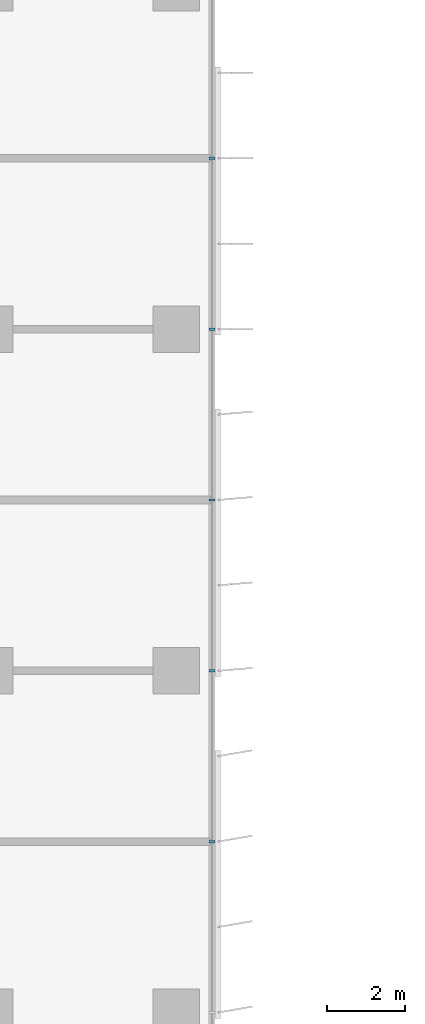
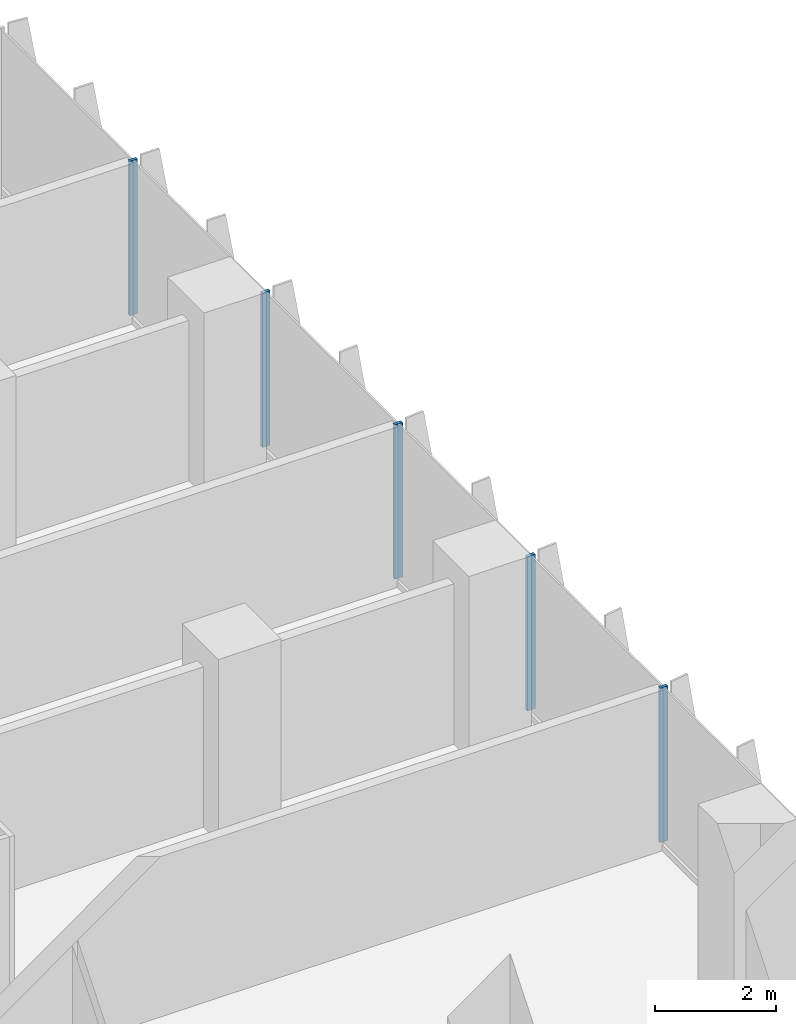
# One storey, part 5 of 22: 5 members, 1 element without a shape of its own.
"""IFC4 building model written with IfcOpenShell, lengths in metres."""

from ifc_helpers import new_model, si_unit, direction, frame, origin, origin_2d, place, context, subcontext, project, spatial, rectangle, extrude, source, transform, mapped, material, material_profile, profile_set, type_object, element, aggregate, save


model = new_model("IFC4")

# Units and contexts
model_context = context("Model", 3, precision=1e-05, world=origin(), true_north=direction((0.0, 1.0)))
body_context = subcontext(model_context, "Body", "Model", "MODEL_VIEW")
ifc_project = project(units=[si_unit("LENGTHUNIT", "METRE"), si_unit("AREAUNIT", "SQUARE_METRE"), si_unit("VOLUMEUNIT", "CUBIC_METRE"), si_unit("PLANEANGLEUNIT", "RADIAN"), si_unit("MASSUNIT", "GRAM", prefix="KILO")], contexts=[model_context])

# Site, building, storey
site_placement = place(None, origin())
site = spatial("IfcSite", under=ifc_project, at=site_placement, CompositionType="ELEMENT")
building_placement = place(site_placement, origin())
building = spatial("IfcBuilding", under=site, at=building_placement, Name="Kemantara Hotel Tower", CompositionType="ELEMENT")
storey_placement = place(building_placement, frame((0.0, 0.0, 129.60009765625)))
storey = spatial("IfcBuildingStorey", under=building, at=storey_placement, Name="L31", CompositionType="ELEMENT", Elevation=129.60009765625)

# Curtain wall, members
ifc_material_1 = material(Name="Low-E tinted double insulated glass 36 mm", Category="glass")
curtain_wall_type = type_object("IfcCurtainWallType", Name="TOWER CURTAIN WALL, FRONT FACES", PredefinedType="USERDEFINED", material=ifc_material_1)
curtain_wall_placement = place(storey_placement, origin())
curtain_wall = element("IfcCurtainWall", 1, at=curtain_wall_placement, inside=storey, type_object=curtain_wall_type, Name="CW4 L31 T2-R14-1", ObjectType="TOWER CURTAIN WALL, FRONT FACES", PredefinedType="USERDEFINED")
ifc_material_2 = material(Name="Aluminium 6063-T6 bronze anodised", Category="aluminium")
ifc_material_profile = material_profile(ifc_material_2, rectangle(XDim=0.14990234375, YDim=0.06005859375, at=origin_2d()), Name="TOWER CURTAIN WALL, FRONT FACES MULLION")
ifc_profile_set = profile_set([ifc_material_profile], Name="Aluminium 6063-T6 bronze anodised")
member_type = type_object("IfcMemberType", Name="TOWER CURTAIN WALL, FRONT FACES MULLION", PredefinedType="MULLION", material=ifc_profile_set)
shared_shape = source(origin(), body_context, "Body", "SweptSolid", [
    extrude(rectangle(XDim=0.14990234375, YDim=0.06005859375, at=origin_2d()), origin(), (0.0, 0.0, 1.0), 3.130126953125),
])
member_1_placement = place(storey_placement, frame((26.72509765625, 31.800048828125, 0.119873046875), z_axis=(0.0, 0.0, 1.0), x_axis=(-1.0, 0.0, 0.0)))
member_1 = element("IfcMember", 2, at=member_1_placement, type_object=member_type, Name="CW4 mullion T2-R14-1.4", PredefinedType="MULLION", context=body_context, shape_type="MappedRepresentation", body=[
    mapped(shared_shape, transform((0.0, 0.0, 0.0))),
])
member_2_placement = place(storey_placement, frame((26.72509765625, 36.199951171875, 0.119873046875), z_axis=(0.0, 0.0, 1.0), x_axis=(-1.0, 0.0, 0.0)))
member_2 = element("IfcMember", 3, at=member_2_placement, type_object=member_type, Name="CW4 mullion T2-R14-1.5", PredefinedType="MULLION", context=body_context, shape_type="MappedRepresentation", body=[
    mapped(shared_shape, transform((0.0, 0.0, 0.0))),
])
member_3_placement = place(storey_placement, frame((26.72509765625, 40.60009765625, 0.119873046875), z_axis=(0.0, 0.0, 1.0), x_axis=(-1.0, 0.0, 0.0)))
member_3 = element("IfcMember", 4, at=member_3_placement, type_object=member_type, Name="CW4 mullion T2-R14-1.6", PredefinedType="MULLION", context=body_context, shape_type="MappedRepresentation", body=[
    mapped(shared_shape, transform((0.0, 0.0, 0.0))),
])
member_4_placement = place(storey_placement, frame((26.72509765625, 45.0, 0.119873046875), z_axis=(0.0, 0.0, 1.0), x_axis=(-1.0, 0.0, 0.0)))
member_4 = element("IfcMember", 5, at=member_4_placement, type_object=member_type, Name="CW4 mullion T2-R14-1.7", PredefinedType="MULLION", context=body_context, shape_type="MappedRepresentation", body=[
    mapped(shared_shape, transform((0.0, 0.0, 0.0))),
])
member_5_placement = place(storey_placement, frame((26.72509765625, 49.39990234375, 0.119873046875), z_axis=(0.0, 0.0, 1.0), x_axis=(-1.0, 0.0, 0.0)))
member_5 = element("IfcMember", 6, at=member_5_placement, type_object=member_type, Name="CW4 mullion T2-R14-1.8", PredefinedType="MULLION", context=body_context, shape_type="MappedRepresentation", body=[
    mapped(shared_shape, transform((0.0, 0.0, 0.0))),
])
aggregate(curtain_wall, [member_1, member_2, member_3, member_4, member_5])

save(model, "model.ifc")
